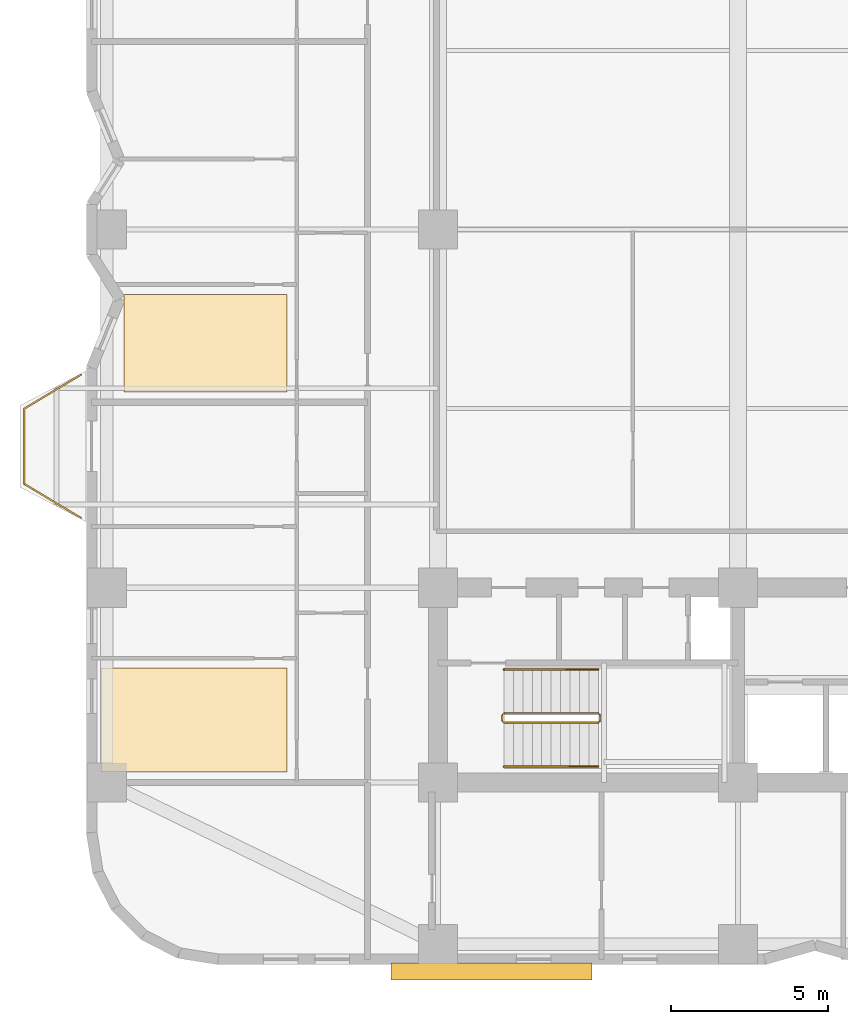
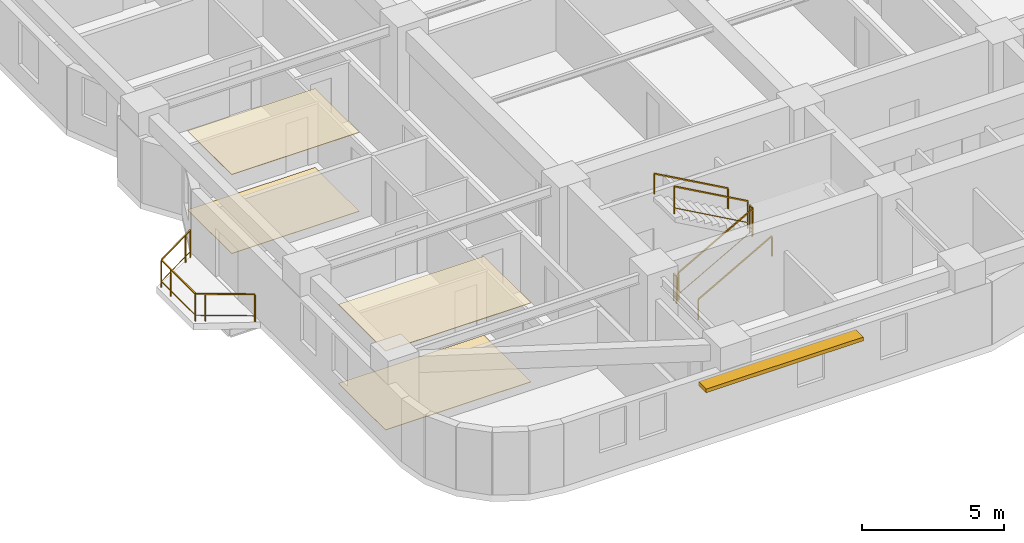
# One storey, part 9 of 11: 7 railings, 4 coverings, 1 shading device.
"""IFC4 building model written with IfcOpenShell, lengths in metres."""

from ifc_helpers import new_model, si_unit, direction, frame, origin, origin_2d, place, context, subcontext, project, spatial, polyline, rectangle, outline, extrude, material, layer, layer_set, type_object, element, save


model = new_model("IFC4")

# Units and contexts
model_context = context("Model", 3, precision=1e-05, world=origin(), true_north=direction((0.0, 1.0)))
body_context = subcontext(model_context, "Body", "Model", "MODEL_VIEW")
ifc_project = project(units=[si_unit("LENGTHUNIT", "METRE"), si_unit("AREAUNIT", "SQUARE_METRE"), si_unit("VOLUMEUNIT", "CUBIC_METRE"), si_unit("PLANEANGLEUNIT", "RADIAN"), si_unit("MASSUNIT", "GRAM", prefix="KILO")], contexts=[model_context])

# Site, building, storey
site_placement = place(None, origin())
site = spatial("IfcSite", under=ifc_project, at=site_placement, CompositionType="ELEMENT")
building_placement = place(site_placement, origin())
building = spatial("IfcBuilding", under=site, at=building_placement, Name="Svetorya Sky Lyceum", CompositionType="ELEMENT")
storey_placement = place(building_placement, frame((0.0, 0.0, 36.199951171875)))
storey = spatial("IfcBuildingStorey", under=building, at=storey_placement, Name="L08", CompositionType="ELEMENT", Elevation=36.199951171875)

# Coverings
ifc_material_1 = material(Name="Mineral-fibre classroom acoustic ceiling tile")
ifc_layer_1 = layer(ifc_material_1, 0.02392578125)
ifc_layer_set_1 = layer_set([ifc_layer_1], Name="Mineral-fibre classroom acoustic ceiling tile")
covering_type_1 = type_object("IfcCoveringType", Name="COV-CLG-AC24", PredefinedType="CEILING", material=ifc_layer_set_1)
covering_1_placement = place(storey_placement, frame((0.0, 0.0, 3.39599609375)))
element("IfcCovering", 1, at=covering_1_placement, inside=storey, type_object=covering_type_1, Name="Apartment W1 Living Room Acoustic Ceiling", PredefinedType="CEILING", context=body_context, shape_type="SweptSolid", body=[
    extrude(outline(polyline([(14.8701171875, 10.929931640625), (20.7900390625, 10.929931640625), (20.7900390625, 14.239990234375), (14.8701171875, 14.239990234375), (14.8701171875, 10.929931640625)])), origin(), (0.0, 0.0, 1.0), 0.024169921875),
])
covering_2_placement = place(storey_placement, frame((0.0, 0.0, 3.39599609375)))
element("IfcCovering", 2, at=covering_2_placement, inside=storey, type_object=covering_type_1, Name="Apartment W2 Living Room Acoustic Ceiling", PredefinedType="CEILING", context=body_context, shape_type="SweptSolid", body=[
    extrude(outline(polyline([(15.594482421875, 23.030029296875), (20.7900390625, 23.030029296875), (20.7900390625, 26.139892578125), (15.594482421875, 26.139892578125), (15.594482421875, 23.030029296875)])), origin(), (0.0, 0.0, 1.0), 0.024169921875),
])
ifc_material_2 = material(Name="Engineered Nordic oak parquet flooring")
ifc_layer_2 = layer(ifc_material_2, 0.02197265625)
ifc_layer_set_2 = layer_set([ifc_layer_2], Name="Engineered Nordic oak parquet flooring")
covering_type_2 = type_object("IfcCoveringType", Name="COV-FLR-OAK", PredefinedType="FLOORING", material=ifc_layer_set_2)
covering_3_placement = place(storey_placement, origin())
element("IfcCovering", 3, at=covering_3_placement, inside=storey, type_object=covering_type_2, Name="Apartment W1 Living Room Architectural Flooring", PredefinedType="FLOORING", context=body_context, shape_type="SweptSolid", body=[
    extrude(outline(polyline([(14.8701171875, 10.929931640625), (20.7900390625, 10.929931640625), (20.7900390625, 14.239990234375), (14.8701171875, 14.239990234375), (14.8701171875, 10.929931640625)])), origin(), (0.0, 0.0, 1.0), 0.02197265625),
])
covering_4_placement = place(storey_placement, origin())
element("IfcCovering", 4, at=covering_4_placement, inside=storey, type_object=covering_type_2, Name="Apartment W2 Living Room Architectural Flooring", PredefinedType="FLOORING", context=body_context, shape_type="SweptSolid", body=[
    extrude(outline(polyline([(15.594482421875, 23.030029296875), (20.7900390625, 23.030029296875), (20.7900390625, 26.139892578125), (15.594482421875, 26.139892578125), (15.594482421875, 23.030029296875)])), origin(), (0.0, 0.0, 1.0), 0.02197265625),
])

# Railings
ifc_material_3 = material(Name="Laminated safety glass and stainless AISI 316", Category="glass")
railing_type_1 = type_object("IfcRailingType", Name="RL-BAL-1200", PredefinedType="BALUSTRADE", material=ifc_material_3)
railing_1_placement = place(storey_placement, frame((14.22998046875, 19.02001953125, 0.0)))
element("IfcRailing", 5, at=railing_1_placement, inside=storey, type_object=railing_type_1, Name="L08 Balcony Balustrade BAL-W1", PredefinedType="BALUSTRADE", context=body_context, shape_type="SweptSolid", body=[
    extrude(rectangle(XDim=0.048095703125, YDim=0.048095703125, at=origin_2d()), frame((0.0, 0.0, 1.17578125), z_axis=(-0.857482663744, 0.514512858321, 0.0), x_axis=(-0.514512858321, -0.857482663744, 0.0)), (0.0, 0.0, 1.0), 2.09912109375),
    extrude(rectangle(XDim=0.02392578125, YDim=0.02392578125, at=origin_2d()), frame((0.0, 0.0, 0.25), z_axis=(-0.857482663744, 0.514512858321, 0.0), x_axis=(-0.514512858321, -0.857482663744, 0.0)), (0.0, 0.0, 1.0), 2.09912109375),
    extrude(rectangle(XDim=0.048095703125, YDim=0.048095703125, at=origin_2d()), frame((-1.800048828125, 1.080078125, 1.17578125), z_axis=(0.0, 1.0, 0.0), x_axis=(-1.0, 0.0, 0.0)), (0.0, 0.0, 1.0), 2.39990234375),
    extrude(rectangle(XDim=0.02392578125, YDim=0.02392578125, at=origin_2d()), frame((-1.800048828125, 1.080078125, 0.25), z_axis=(0.0, 1.0, 0.0), x_axis=(-1.0, 0.0, 0.0)), (0.0, 0.0, 1.0), 2.39990234375),
    extrude(rectangle(XDim=0.048095703125, YDim=0.048095703125, at=origin_2d()), frame((-1.800048828125, 3.47998046875, 1.17578125), z_axis=(0.857482663744, 0.514512858321, 0.0), x_axis=(-0.514512858321, 0.857482663744, 0.0)), (0.0, 0.0, 1.0), 2.09912109375),
    extrude(rectangle(XDim=0.02392578125, YDim=0.02392578125, at=origin_2d()), frame((-1.800048828125, 3.47998046875, 0.25), z_axis=(0.857482663744, 0.514512858321, 0.0), x_axis=(-0.514512858321, 0.857482663744, 0.0)), (0.0, 0.0, 1.0), 2.09912109375),
    extrude(rectangle(XDim=0.0419921875, YDim=0.0419921875, at=origin_2d()), origin(), (0.0, 0.0, 1.0), 1.15185546875),
    extrude(rectangle(XDim=0.0419921875, YDim=0.0419921875, at=origin_2d()), frame((-1.50048828125, 0.900390625, 0.0)), (0.0, 0.0, 1.0), 1.15185546875),
    extrude(rectangle(XDim=0.0419921875, YDim=0.0419921875, at=origin_2d()), frame((-1.800048828125, 1.080078125, 0.0)), (0.0, 0.0, 1.0), 1.15185546875),
    extrude(rectangle(XDim=0.0419921875, YDim=0.0419921875, at=origin_2d()), frame((-1.800048828125, 2.830078125, 0.0)), (0.0, 0.0, 1.0), 1.15185546875),
    extrude(rectangle(XDim=0.0419921875, YDim=0.0419921875, at=origin_2d()), frame((-1.800048828125, 3.47998046875, 0.0)), (0.0, 0.0, 1.0), 1.15185546875),
    extrude(rectangle(XDim=0.0419921875, YDim=0.0419921875, at=origin_2d()), frame((-0.299560546875, 4.38037109375, 0.0)), (0.0, 0.0, 1.0), 1.15185546875),
    extrude(rectangle(XDim=0.0419921875, YDim=0.0419921875, at=origin_2d()), frame((0.0, 4.56005859375, 0.0)), (0.0, 0.0, 1.0), 1.15185546875),
])
ifc_material_4 = material(Name="Painted galvanized stair well guard")
railing_type_2 = type_object("IfcRailingType", Name="RL-STR-GUARD-1200", PredefinedType="GUARDRAIL", material=ifc_material_4)
railing_2_placement = place(storey_placement, frame((27.699951171875, 12.5, 0.168212890625)))
element("IfcRailing", 6, at=railing_2_placement, inside=storey, type_object=railing_type_2, Name="L08 ST-S stair guard 1", PredefinedType="GUARDRAIL", context=body_context, shape_type="SweptSolid", body=[
    extrude(rectangle(XDim=0.048095703125, YDim=0.048095703125, at=origin_2d()), frame((0.0, 0.0, 1.17578125), z_axis=(0.872272294576, 0.0, 0.489020494575), x_axis=(0.0, 1.0, 0.0)), (0.0, 0.0, 1.0), 3.439208984375),
    extrude(rectangle(XDim=0.02392578125, YDim=0.02392578125, at=origin_2d()), frame((0.0, 0.0, 0.25), z_axis=(0.872272294576, 0.0, 0.489020494575), x_axis=(0.0, 1.0, 0.0)), (0.0, 0.0, 1.0), 3.439208984375),
    extrude(rectangle(XDim=0.0419921875, YDim=0.0419921875, at=origin_2d()), origin(), (0.0, 0.0, 1.0), 1.15185546875),
    extrude(rectangle(XDim=0.0419921875, YDim=0.0419921875, at=origin_2d()), frame((3.0, 0.0, 1.681884765625)), (0.0, 0.0, 1.0), 1.15185546875),
])
railing_3_placement = place(storey_placement, frame((30.75, 12.550048828125, 1.85009765625)))
element("IfcRailing", 7, at=railing_3_placement, inside=storey, type_object=railing_type_2, Name="L08 ST-S stair guard 2", PredefinedType="GUARDRAIL", context=body_context, shape_type="SweptSolid", body=[
    extrude(rectangle(XDim=0.048095703125, YDim=0.048095703125, at=origin_2d()), frame((0.0, 0.0, 1.17578125), z_axis=(0.0, 1.0, 0.0), x_axis=(-1.0, 0.0, 0.0)), (0.0, 0.0, 1.0), 0.199951171875),
    extrude(rectangle(XDim=0.02392578125, YDim=0.02392578125, at=origin_2d()), frame((0.0, 0.0, 0.25), z_axis=(0.0, 1.0, 0.0), x_axis=(-1.0, 0.0, 0.0)), (0.0, 0.0, 1.0), 0.199951171875),
    extrude(rectangle(XDim=0.0419921875, YDim=0.0419921875, at=origin_2d()), origin(), (0.0, 0.0, 1.0), 1.15185546875),
    extrude(rectangle(XDim=0.0419921875, YDim=0.0419921875, at=origin_2d()), frame((0.0, 0.199951171875, 0.0)), (0.0, 0.0, 1.0), 1.15185546875),
])
railing_4_placement = place(storey_placement, frame((30.699951171875, 12.800048828125, 2.018310546875)))
element("IfcRailing", 8, at=railing_4_placement, inside=storey, type_object=railing_type_2, Name="L08 ST-S stair guard 3", PredefinedType="GUARDRAIL", context=body_context, shape_type="SweptSolid", body=[
    extrude(rectangle(XDim=0.048095703125, YDim=0.048095703125, at=origin_2d()), frame((0.0, 0.0, 1.17578125), z_axis=(-0.872302573547, 0.0, 0.488966481656), x_axis=(0.0, -1.0, 0.0)), (0.0, 0.0, 1.0), 3.439208984375),
    extrude(rectangle(XDim=0.02392578125, YDim=0.02392578125, at=origin_2d()), frame((0.0, 0.0, 0.25), z_axis=(-0.872302573547, 0.0, 0.488966481656), x_axis=(0.0, -1.0, 0.0)), (0.0, 0.0, 1.0), 3.439208984375),
    extrude(rectangle(XDim=0.0419921875, YDim=0.0419921875, at=origin_2d()), origin(), (0.0, 0.0, 1.0), 1.15185546875),
    extrude(rectangle(XDim=0.0419921875, YDim=0.0419921875, at=origin_2d()), frame((-3.0, 0.0, 1.681640625)), (0.0, 0.0, 1.0), 1.15185546875),
])
railing_5_placement = place(storey_placement, frame((27.64990234375, 12.550048828125, 0.0)))
element("IfcRailing", 9, at=railing_5_placement, inside=storey, type_object=railing_type_2, Name="L08 ST-S stair guard 4", PredefinedType="GUARDRAIL", context=body_context, shape_type="SweptSolid", body=[
    extrude(rectangle(XDim=0.048095703125, YDim=0.048095703125, at=origin_2d()), frame((0.0, 0.0, 1.17578125), z_axis=(0.0, 1.0, 0.0), x_axis=(-1.0, 0.0, 0.0)), (0.0, 0.0, 1.0), 0.199951171875),
    extrude(rectangle(XDim=0.02392578125, YDim=0.02392578125, at=origin_2d()), frame((0.0, 0.0, 0.25), z_axis=(0.0, 1.0, 0.0), x_axis=(-1.0, 0.0, 0.0)), (0.0, 0.0, 1.0), 0.199951171875),
    extrude(rectangle(XDim=0.0419921875, YDim=0.0419921875, at=origin_2d()), origin(), (0.0, 0.0, 1.0), 1.15185546875),
    extrude(rectangle(XDim=0.0419921875, YDim=0.0419921875, at=origin_2d()), frame((0.0, 0.199951171875, 0.0)), (0.0, 0.0, 1.0), 1.15185546875),
])
ifc_material_5 = material(Name="Brushed stainless AISI 304 stair handrail")
railing_type_3 = type_object("IfcRailingType", Name="RL-STR-HAND-920", PredefinedType="HANDRAIL", material=ifc_material_5)
railing_6_placement = place(storey_placement, frame((27.699951171875, 11.10009765625, 0.168212890625)))
element("IfcRailing", 10, at=railing_6_placement, inside=storey, type_object=railing_type_3, Name="L08 ST-S stair handrail 1", PredefinedType="HANDRAIL", context=body_context, shape_type="SweptSolid", body=[
    extrude(rectangle(XDim=0.048095703125, YDim=0.048095703125, at=origin_2d()), frame((0.0, 0.0, 0.8759765625), z_axis=(0.872272294576, 0.0, 0.489020494575), x_axis=(0.0, 1.0, 0.0)), (0.0, 0.0, 1.0), 3.439208984375),
    extrude(rectangle(XDim=0.0419921875, YDim=0.0419921875, at=origin_2d()), origin(), (0.0, 0.0, 1.0), 0.851806640625),
    extrude(rectangle(XDim=0.0419921875, YDim=0.0419921875, at=origin_2d()), frame((3.0, 0.0, 1.681884765625)), (0.0, 0.0, 1.0), 0.851806640625),
])
railing_7_placement = place(storey_placement, frame((30.699951171875, 14.199951171875, 2.018310546875)))
element("IfcRailing", 11, at=railing_7_placement, inside=storey, type_object=railing_type_3, Name="L08 ST-S stair handrail 2", PredefinedType="HANDRAIL", context=body_context, shape_type="SweptSolid", body=[
    extrude(rectangle(XDim=0.048095703125, YDim=0.048095703125, at=origin_2d()), frame((0.0, 0.0, 0.8759765625), z_axis=(-0.872302573547, 0.0, 0.488966481656), x_axis=(0.0, -1.0, 0.0)), (0.0, 0.0, 1.0), 3.439208984375),
    extrude(rectangle(XDim=0.0419921875, YDim=0.0419921875, at=origin_2d()), origin(), (0.0, 0.0, 1.0), 0.851806640625),
    extrude(rectangle(XDim=0.0419921875, YDim=0.0419921875, at=origin_2d()), frame((-3.0, 0.0, 1.681640625)), (0.0, 0.0, 1.0), 0.851806640625),
])

# Shading device
ifc_material_6 = material(Name="Champagne-anodized extruded aluminium sunshade", Category="aluminium")
ifc_layer_3 = layer(ifc_material_6, 0.159912109375)
ifc_layer_set_3 = layer_set([ifc_layer_3], Name="Champagne-anodized extruded aluminium sunshade")
shading_device_type = type_object("IfcShadingDeviceType", Name="SHD-LVR-540", PredefinedType="AWNING", material=ifc_layer_set_3)
shading_device_placement = place(storey_placement, frame((27.300048828125, 4.580078125, 2.39990234375), z_axis=(0.0, 0.0, 1.0), x_axis=(1.0, 0.0, 0.0)))
element("IfcShadingDevice", 12, at=shading_device_placement, inside=storey, type_object=shading_device_type, Name="L08 Solar Brise-Soleil SHD-1.6M", PredefinedType="AWNING", context=body_context, shape_type="SweptSolid", body=[
    extrude(rectangle(XDim=6.39990234375, YDim=0.5400390625, at=origin_2d()), origin(), (0.0, 0.0, 1.0), 0.159912109375),
])

save(model, "model.ifc")
